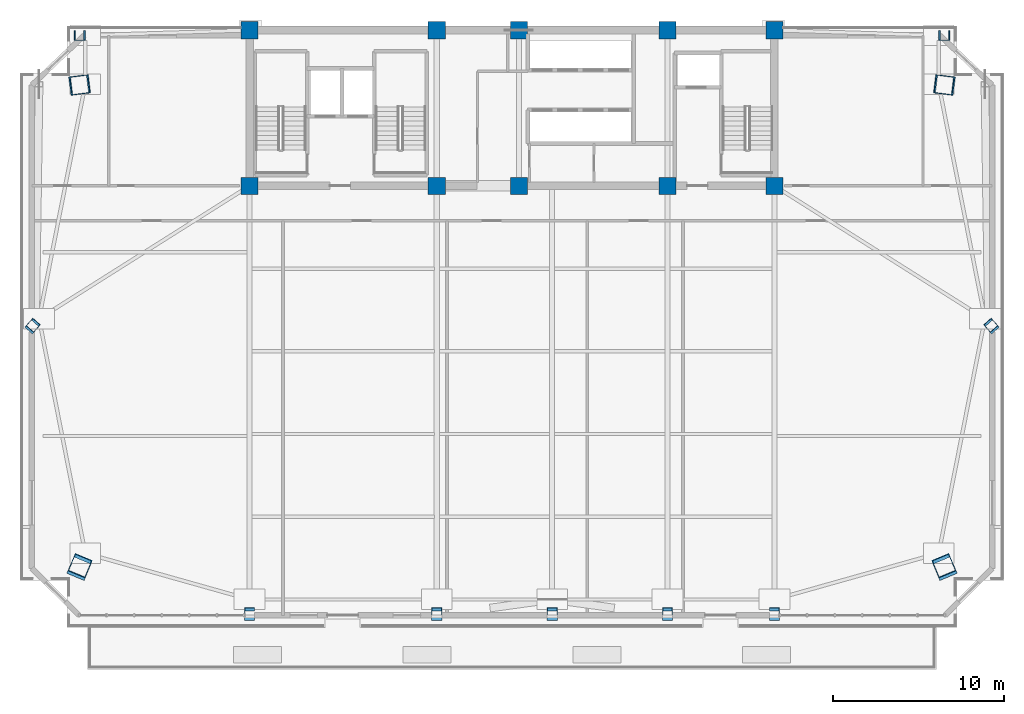
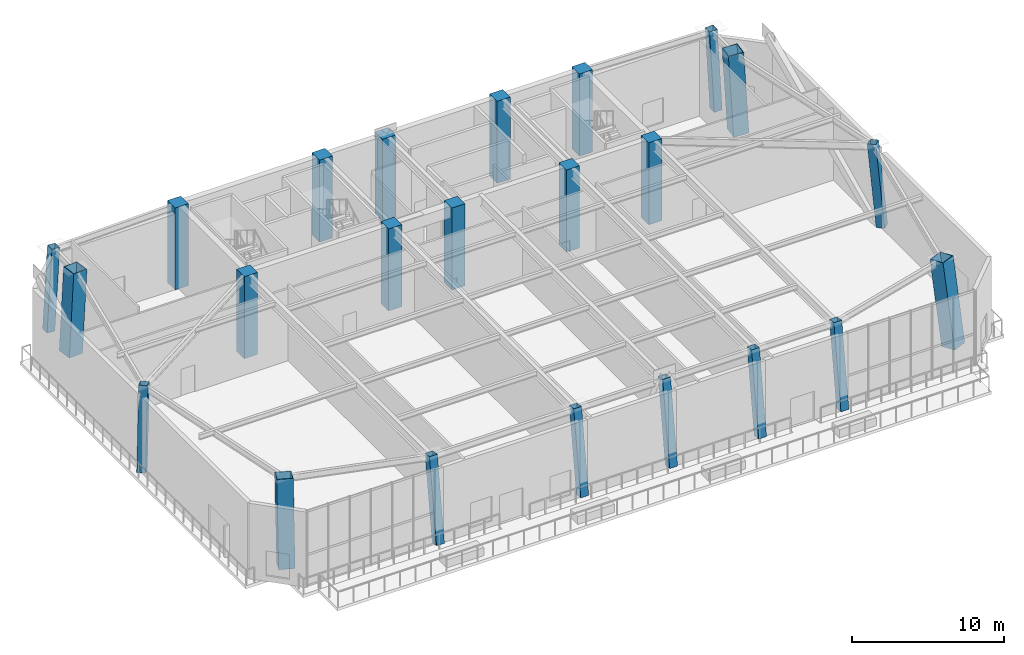
# One storey, part 1 of 16: 23 columns.
"""IFC4 building model written with IfcOpenShell, lengths in metres."""

from ifc_helpers import new_model, si_unit, direction, frame, origin, origin_2d, place, context, subcontext, project, spatial, rectangle, hollow_rectangle, extrude, source, transform, mapped, material, material_profile, profile_set, type_object, element, save


model = new_model("IFC4")

# Units and contexts
model_context = context("Model", 3, precision=1e-05, world=origin(), true_north=direction((0.0, 1.0)))
body_context = subcontext(model_context, "Body", "Model", "MODEL_VIEW")
ifc_project = project(units=[si_unit("LENGTHUNIT", "METRE"), si_unit("AREAUNIT", "SQUARE_METRE"), si_unit("VOLUMEUNIT", "CUBIC_METRE"), si_unit("PLANEANGLEUNIT", "RADIAN"), si_unit("MASSUNIT", "GRAM", prefix="KILO")], contexts=[model_context])

# Site, building, storey
site_placement = place(None, origin())
site = spatial("IfcSite", under=ifc_project, at=site_placement, CompositionType="ELEMENT")
building_placement = place(site_placement, origin())
building = spatial("IfcBuilding", under=site, at=building_placement, Name="Giltprow Tower", CompositionType="ELEMENT")
storey_placement = place(building_placement, frame((0.0, 0.0, 220.199951171875)))
storey = spatial("IfcBuildingStorey", under=building, at=storey_placement, Name="L56", CompositionType="ELEMENT", Elevation=220.199951171875)

# Columns
ifc_material_1 = material(Name="Concrete C50", Category="concrete")
ifc_material_profile_1 = material_profile(ifc_material_1, rectangle(XDim=1.0, YDim=1.0, at=origin_2d()), Name="RC 1000x1000")
ifc_profile_set_1 = profile_set([ifc_material_profile_1], Name="Concrete C50")
column_type_1 = type_object("IfcColumnType", Name="PIL-RC-1000-C50", PredefinedType="PILASTER", material=ifc_profile_set_1)
shared_shape_1 = source(origin(), body_context, "Body", "SweptSolid", [
    extrude(rectangle(XDim=1.0, YDim=1.0, at=origin_2d()), origin(), (0.0, 0.0, 1.0), 6.5849609375),
])
for number, where, z_axis, x_axis, name in (
    (1, (19.85009765625, 37.449951171875, 0.0), (0.0, 0.0, 1.0), (1.0, 0.0, 0.0), "L56 Core Boundary Pilaster 1-1"),
    (2, (19.85009765625, 46.550048828125, 0.0), (0.0, 0.0, 1.0), (1.0, 0.0, 0.0), "L56 Core Boundary Pilaster 1-2"),
    (3, (30.800048828125, 37.449951171875, 0.0), (0.0, 0.0, 1.0), (1.0, 0.0, 0.0), "L56 Core Boundary Pilaster 2-1"),
    (4, (30.800048828125, 46.550048828125, 0.0), (0.0, 0.0, 1.0), (1.0, 0.0, 0.0), "L56 Core Boundary Pilaster 2-2"),
    (5, (35.60009765625, 37.449951171875, 0.0), (0.0, 0.0, 1.0), (1.0, 0.0, 0.0), "L56 Core Boundary Pilaster 3-1"),
    (6, (35.60009765625, 46.550048828125, 0.0), (0.0, 0.0, 1.0), (1.0, 0.0, 0.0), "L56 Core Boundary Pilaster 3-2"),
    (7, (44.300048828125, 37.449951171875, 0.0), (0.0, 0.0, 1.0), (1.0, 0.0, 0.0), "L56 Core Boundary Pilaster 4-1"),
    (8, (44.300048828125, 46.550048828125, 0.0), (0.0, 0.0, 1.0), (1.0, 0.0, 0.0), "L56 Core Boundary Pilaster 4-2"),
    (9, (50.550048828125, 37.449951171875, 0.0), (0.0, 0.0, 1.0), (1.0, 0.0, 0.0), "L56 Core Boundary Pilaster 5-1"),
    (10, (50.550048828125, 46.550048828125, 0.0), (0.0, 0.0, 1.0), (1.0, 0.0, 0.0), "L56 Core Boundary Pilaster 5-2"),
):
    element("IfcColumn", number, at=place(storey_placement, frame(where, z_axis=z_axis, x_axis=x_axis)), inside=storey, type_object=column_type_1, Name=name, PredefinedType="PILASTER", context=body_context, shape_type="MappedRepresentation", body=[
        mapped(shared_shape_1, transform((0.0, 0.0, 0.0), x_axis=(1.0, 0.0, 0.0), y_axis=(0.0, 1.0, 0.0), z_axis=(0.0, 0.0, 1.0), scale=1.0)),
    ])
ifc_material_2 = material(Name="Structural steel Q420GJC", Category="steel")
ifc_material_profile_2 = material_profile(ifc_material_2, hollow_rectangle(XDim=1.10009765625, YDim=1.10009765625, WallThickness=0.050048828125, at=origin_2d()), Name="BOX 1100x1100x50")
ifc_profile_set_2 = profile_set([ifc_material_profile_2], Name="Structural steel Q420GJC")
column_type_2 = type_object("IfcColumnType", Name="COL-BOX-1100x1100x50", PredefinedType="COLUMN", material=ifc_profile_set_2)
shared_shape_2 = source(origin(), body_context, "Body", "SweptSolid", [
    extrude(hollow_rectangle(XDim=1.10009765625, YDim=1.10009765625, WallThickness=0.050048828125, at=origin_2d()), origin(), (0.0, 0.0, 1.0), 6.654296875),
])
for number, where, z_axis, x_axis, name in (
    (11, (9.8720703125, 15.072021484375, 0.0), (0.055290171783, 0.132997261257, 0.989573001553), (-0.923385613651, 0.383873688213, 0.0), "L56 Mega-Column MC_SW"),
    (12, (60.528076171875, 15.072021484375, 0.0), (-0.055326748414, 0.132996991379, 0.989570993509), (-0.923295305511, -0.384090847093, 0.0), "L56 Mega-Column MC_SE"),
):
    element("IfcColumn", number, at=place(storey_placement, frame(where, z_axis=z_axis, x_axis=x_axis)), inside=storey, type_object=column_type_2, Name=name, PredefinedType="COLUMN", context=body_context, shape_type="MappedRepresentation", body=[
        mapped(shared_shape_2, transform((0.0, 0.0, 0.0), x_axis=(1.0, 0.0, 0.0), y_axis=(0.0, 1.0, 0.0), z_axis=(0.0, 0.0, 1.0), scale=1.0)),
    ])
shared_shape_3 = source(origin(), body_context, "Body", "SweptSolid", [
    extrude(hollow_rectangle(XDim=1.10009765625, YDim=1.10009765625, WallThickness=0.050048828125, at=origin_2d()), origin(), (0.0, 0.0, 1.0), 6.595458984375),
])
for number, where, z_axis, x_axis, name in (
    (13, (9.8720703125, 43.345947265625, 0.0), (0.055784326108, 0.00714424349, 0.998417281874), (-0.127031483929, 0.991898685396, 0.0), "L56 Mega-Column MC_NW"),
    (14, (60.528076171875, 43.345947265625, 0.0), (-0.055821227607, 0.007144228732, 0.998415219508), (-0.126948603569, -0.991909296283, 0.0), "L56 Mega-Column MC_NE"),
):
    element("IfcColumn", number, at=place(storey_placement, frame(where, z_axis=z_axis, x_axis=x_axis)), inside=storey, type_object=column_type_2, Name=name, PredefinedType="COLUMN", context=body_context, shape_type="MappedRepresentation", body=[
        mapped(shared_shape_3, transform((0.0, 0.0, 0.0), x_axis=(1.0, 0.0, 0.0), y_axis=(0.0, 1.0, 0.0), z_axis=(0.0, 0.0, 1.0), scale=1.0)),
    ])
ifc_material_3 = material(Name="Structural steel Q355B", Category="steel")
ifc_material_profile_3 = material_profile(ifc_material_3, hollow_rectangle(XDim=0.60009765625, YDim=0.60009765625, WallThickness=0.028076171875, at=origin_2d()), Name="BOX 600x600x28")
ifc_profile_set_3 = profile_set([ifc_material_profile_3], Name="Structural steel Q355B")
column_type_3 = type_object("IfcColumnType", Name="COL-BOX-600x600x28", PredefinedType="COLUMN", material=ifc_profile_set_3)
shared_shape_4 = source(origin(), body_context, "Body", "SweptSolid", [
    extrude(hollow_rectangle(XDim=0.60009765625, YDim=0.60009765625, WallThickness=0.028076171875, at=origin_2d()), origin(), (0.0, 0.0, 1.0), 6.650634765625),
])
for number, where, z_axis, x_axis, name in (
    (15, (19.85009765625, 12.318115234375, 0.0), (0.0, 0.140120976199, 0.990134390893), (-1.0, 0.0, 0.0), "L56 Perimeter Column S1"),
    (16, (30.800048828125, 12.318115234375, 0.0), (0.0, 0.140120976199, 0.990134390893), (-1.0, 0.0, 0.0), "L56 Perimeter Column S2"),
    (17, (37.550048828125, 12.318115234375, 0.0), (0.0, 0.140120976199, 0.990134390893), (-1.0, 0.0, 0.0), "L56 Perimeter Column S_MID"),
    (18, (44.300048828125, 12.318115234375, 0.0), (0.0, 0.140120976199, 0.990134390893), (-1.0, 0.0, 0.0), "L56 Perimeter Column S3"),
    (19, (50.550048828125, 12.318115234375, 0.0), (0.0, 0.140120976199, 0.990134390893), (-1.0, 0.0, 0.0), "L56 Perimeter Column S4"),
):
    element("IfcColumn", number, at=place(storey_placement, frame(where, z_axis=z_axis, x_axis=x_axis)), inside=storey, type_object=column_type_3, Name=name, PredefinedType="COLUMN", context=body_context, shape_type="MappedRepresentation", body=[
        mapped(shared_shape_4, transform((0.0, 0.0, 0.0), x_axis=(1.0, 0.0, 0.0), y_axis=(0.0, 1.0, 0.0), z_axis=(0.0, 0.0, 1.0), scale=1.0)),
    ])
shared_shape_5 = source(origin(), body_context, "Body", "SweptSolid", [
    extrude(hollow_rectangle(XDim=0.60009765625, YDim=0.60009765625, WallThickness=0.028076171875, at=origin_2d()), origin(), (0.0, 0.0, 1.0), 6.614501953125),
])
for number, where, z_axis, x_axis, name in (
    (20, (7.117919921875, 29.208984375, 0.0), (0.062747159128, 0.070461368692, 0.995539044711), (-0.746804669772, 0.665043446104, 0.0), "L56 Perimeter Column W_MID"),
    (21, (63.281982421875, 29.208984375, 0.0), (-0.062747159128, 0.070461368692, 0.995539044711), (-0.746804669772, -0.665043446104, 0.0), "L56 Perimeter Column E_MID"),
):
    element("IfcColumn", number, at=place(storey_placement, frame(where, z_axis=z_axis, x_axis=x_axis)), inside=storey, type_object=column_type_3, Name=name, PredefinedType="COLUMN", context=body_context, shape_type="MappedRepresentation", body=[
        mapped(shared_shape_5, transform((0.0, 0.0, 0.0), x_axis=(1.0, 0.0, 0.0), y_axis=(0.0, 1.0, 0.0), z_axis=(0.0, 0.0, 1.0), scale=1.0)),
    ])
shared_shape_6 = source(origin(), body_context, "Body", "SweptSolid", [
    extrude(hollow_rectangle(XDim=0.60009765625, YDim=0.60009765625, WallThickness=0.028076171875, at=origin_2d()), origin(), (0.0, 0.0, 1.0), 6.59521484375),
])
for number, where, z_axis, x_axis, name in (
    (22, (9.8720703125, 46.25, 0.0), (0.055785749784, 0.0, 0.998442762566), (0.0, 1.0, 0.0), "L56 Perimeter Column N_W"),
    (23, (60.528076171875, 46.25, 0.0), (-0.055822652219, 0.0, 0.998440700041), (0.0, -1.0, 0.0), "L56 Perimeter Column N_E"),
):
    element("IfcColumn", number, at=place(storey_placement, frame(where, z_axis=z_axis, x_axis=x_axis)), inside=storey, type_object=column_type_3, Name=name, PredefinedType="COLUMN", context=body_context, shape_type="MappedRepresentation", body=[
        mapped(shared_shape_6, transform((0.0, 0.0, 0.0), x_axis=(1.0, 0.0, 0.0), y_axis=(0.0, 1.0, 0.0), z_axis=(0.0, 0.0, 1.0), scale=1.0)),
    ])

save(model, "model.ifc")
